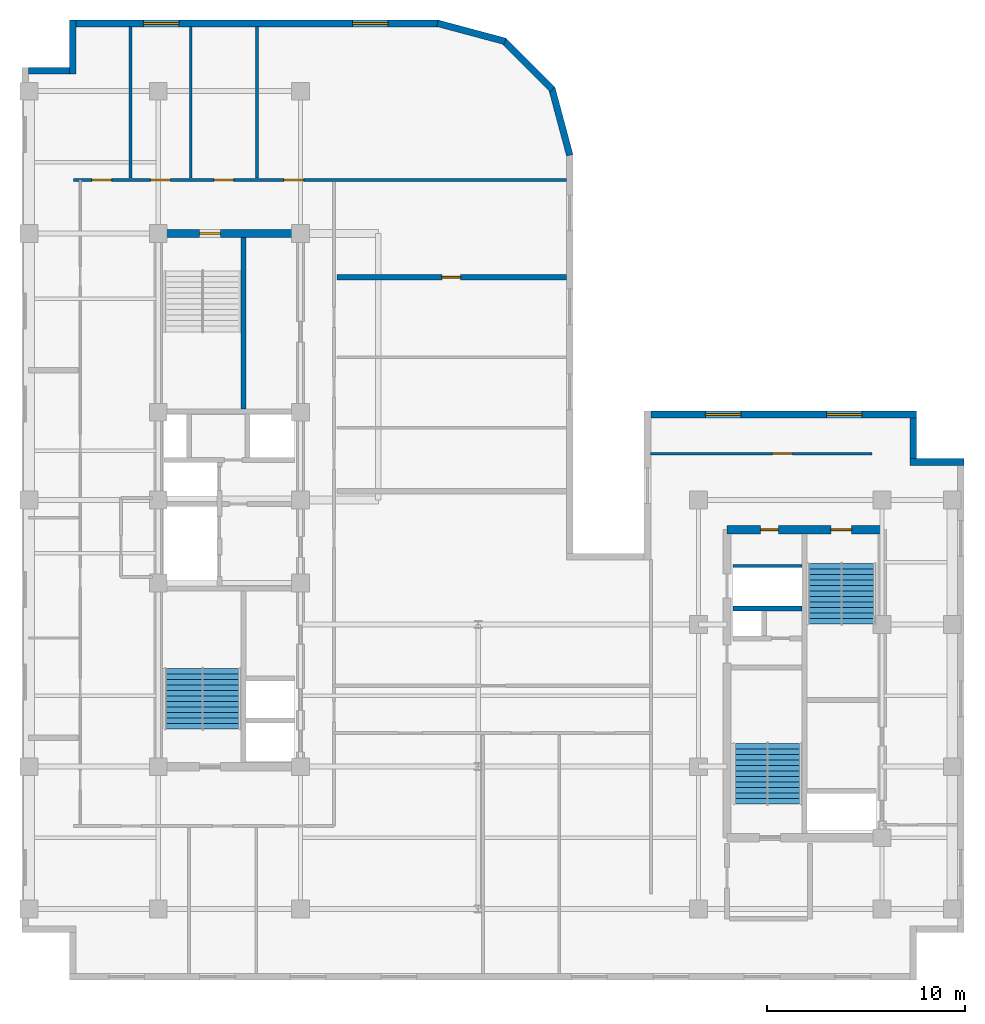
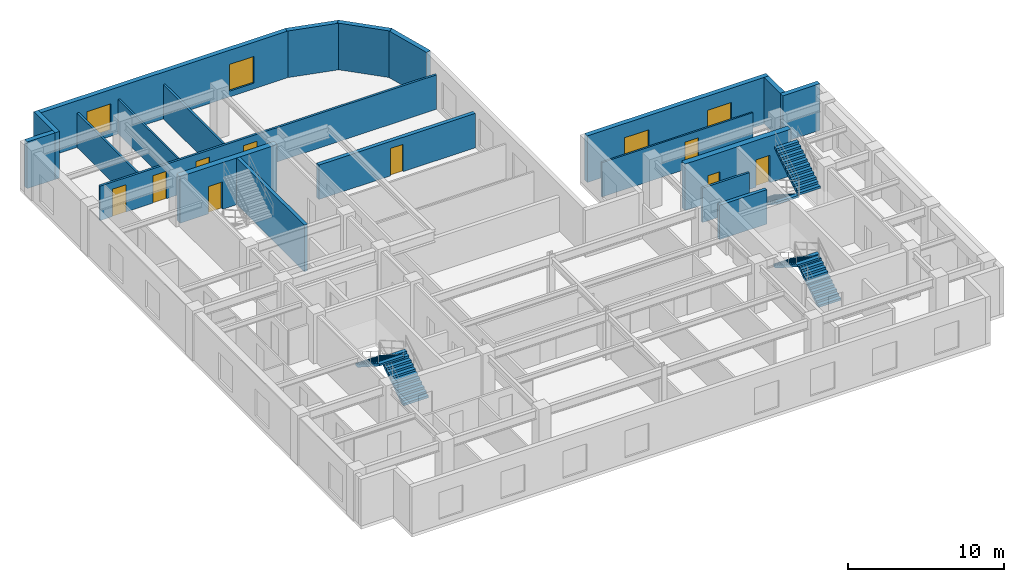
# One storey, part 6 of 10: 20 walls, 9 doors, 6 stair flights, 4 windows, 13 openings, 3 elements without a shape of their own.
"""IFC4 building model written with IfcOpenShell, lengths in metres."""

import ifcopenshell
import ifcopenshell.guid

model = None  # the IFC model being written
_history = None  # IfcOwnerHistory: only IFC2X3 demands one
_inside = {}  # id of a spatial element -> (the spatial element, [elements in it])
_under = {}  # id of a project, library or spatial element -> (it, [spatial elements below it])
_declared = {}  # id of a project -> (the project, [libraries it declares])
_typed = {}  # id of a type object -> (the type object, [elements of that type])
_made_of = {}  # id of a material, layer set ... -> (it, [elements and type objects made of it])


def new_model(schema):
    """Start an empty IFC model of exactly this schema.

    Asked for "IFC4X3", IfcOpenShell would pick the latest addendum, in which some entities
    have other attributes; the version numbers below select the first issue.
    IFC2X3 requires an IfcOwnerHistory on every rooted entity: one is made here for all.
    """
    global model, _history
    if schema == "IFC4X3":
        model = ifcopenshell.file(schema_version=(4, 3, 0, 0))
    else:
        model = ifcopenshell.file(schema=schema)
    _inside.clear()
    _under.clear()
    _declared.clear()
    _typed.clear()
    _made_of.clear()
    _history = None
    if model.schema == "IFC2X3":
        org = make("IfcOrganization", Name="unknown")
        user = make(
            "IfcPersonAndOrganization",
            ThePerson=make("IfcPerson", FamilyName="unknown"),
            TheOrganization=org,
        )
        app = make(
            "IfcApplication",
            ApplicationDeveloper=org,
            Version="unknown",
            ApplicationFullName="unknown",
            ApplicationIdentifier="unknown",
        )
        _history = make(
            "IfcOwnerHistory",
            OwningUser=user,
            OwningApplication=app,
            ChangeAction="ADDED",
            CreationDate=0,
        )
    return model


def make(cls, **values):
    """One entity of the class cls with the attributes given. An attribute that is None is left unset."""
    return model.create_entity(
        cls, **{name: value for name, value in values.items() if value is not None}
    )


def entity(cls, *values):
    """Any entity or typed value of the class cls, its attributes in the order of the schema. None: left unset."""
    e = model.create_entity(cls)
    for i, value in enumerate(values):
        if value is not None:
            e[i] = value
    return e


def rooted(cls, **values):
    """An entity with a GlobalId (a new one), such as an element, a storey or a relation."""
    return make(cls, GlobalId=ifcopenshell.guid.new(), OwnerHistory=_history, **values)


def si_unit(unit_type, name, prefix=None):
    """IfcSIUnit, for example si_unit("LENGTHUNIT", "METRE", prefix="MILLI")."""
    return make("IfcSIUnit", UnitType=unit_type, Prefix=prefix, Name=name)


def converted_unit(unit_type, name, factor, base, dimensions=None, offset=None):
    """IfcConversionBasedUnit, such as the inch: factor (a typed value) times the base unit."""
    return make(
        "IfcConversionBasedUnit"
        if offset is None
        else "IfcConversionBasedUnitWithOffset",
        ConversionOffset=offset,
        Dimensions=None
        if dimensions is None
        else entity("IfcDimensionalExponents", *dimensions),
        UnitType=unit_type,
        Name=name,
        ConversionFactor=make(
            "IfcMeasureWithUnit", ValueComponent=factor, UnitComponent=base
        ),
    )


def assignment(units):
    """IfcUnitAssignment: the units of a project."""
    return None if units is None else make("IfcUnitAssignment", Units=units)


def point(xyz):
    """IfcCartesianPoint."""
    return None if xyz is None else make("IfcCartesianPoint", Coordinates=xyz)


def direction(xyz):
    """IfcDirection."""
    return None if xyz is None else make("IfcDirection", DirectionRatios=xyz)


def frame(location, z_axis=None, x_axis=None):
    """IfcAxis2Placement3D, a coordinate frame: its origin and axes. An axis left out is left unset."""
    return make(
        "IfcAxis2Placement3D",
        Location=point(location),
        Axis=direction(z_axis),
        RefDirection=direction(x_axis),
    )


def frame_2d(location, x_axis=None):
    """IfcAxis2Placement2D, a coordinate frame in the plane: its origin and x axis."""
    return make(
        "IfcAxis2Placement2D", Location=point(location), RefDirection=direction(x_axis)
    )


def origin_with_axes():
    """The frame at (0, 0, 0) with the z axis (0, 0, 1) and the x axis (1, 0, 0) written out."""
    return frame((0.0, 0.0, 0.0), z_axis=(0.0, 0.0, 1.0), x_axis=(1.0, 0.0, 0.0))


def origin_2d_with_axis():
    """The frame at (0, 0) in the plane with the x axis (1, 0) written out."""
    return frame_2d((0.0, 0.0), x_axis=(1.0, 0.0))


def place(relative_to, where):
    """IfcLocalPlacement: puts the frame where relative to a parent placement (None: the world)."""
    return make(
        "IfcLocalPlacement", PlacementRelTo=relative_to, RelativePlacement=where
    )


def context(
    kind, dimensions, precision=None, world=None, true_north=None, identifier=None
):
    """IfcGeometricRepresentationContext, for example the 3D "Model" context."""
    return make(
        "IfcGeometricRepresentationContext",
        ContextIdentifier=identifier,
        ContextType=kind,
        CoordinateSpaceDimension=dimensions,
        Precision=precision,
        WorldCoordinateSystem=world,
        TrueNorth=true_north,
    )


def subcontext(parent, identifier, kind, view, scale=None):
    """IfcGeometricRepresentationSubContext, for example "Body" below "Model"."""
    return make(
        "IfcGeometricRepresentationSubContext",
        ContextIdentifier=identifier,
        ContextType=kind,
        ParentContext=parent,
        TargetScale=scale,
        TargetView=view,
    )


def project(units=None, contexts=None):
    """IfcProject with its units and contexts."""
    return rooted(
        "IfcProject",
        Name="project",
        RepresentationContexts=contexts,
        UnitsInContext=assignment(units),
    )


def spatial(cls, under=None, at=None, **own):
    """A site, building, storey or space (cls), placed at a placement, below another one or the project."""
    s = rooted(cls, ObjectPlacement=at, **own)
    if under is not None:
        _under.setdefault(under.id(), (under, []))[1].append(s)
    return s


def polyline(points):
    """IfcPolyline through the points."""
    return make("IfcPolyline", Points=[point(p) for p in points])


def profile(cls, at=None, kind="AREA", **sizes):
    """A parametric profile (cls). Its sizes go by their IFC names, for example OverallWidth=200.0."""
    return make(cls, ProfileType=kind, Position=at, **sizes)


def rectangle(**sizes):
    """IfcRectangleProfileDef."""
    return profile("IfcRectangleProfileDef", **sizes)


def outline(outer, holes=None, kind="AREA"):
    """IfcArbitraryClosedProfileDef: a profile drawn as a closed curve; with holes, ...WithVoids."""
    if holes is None:
        return make("IfcArbitraryClosedProfileDef", ProfileType=kind, OuterCurve=outer)
    return make(
        "IfcArbitraryProfileDefWithVoids",
        ProfileType=kind,
        OuterCurve=outer,
        InnerCurves=holes,
    )


def extrude(swept, where, along, depth):
    """IfcExtrudedAreaSolid: the profile swept, set in the frame where, extruded along a direction by depth."""
    return make(
        "IfcExtrudedAreaSolid",
        SweptArea=swept,
        Position=where,
        ExtrudedDirection=direction(along),
        Depth=depth,
    )


def shape(context_of_items, identifier, shape_type, items):
    """IfcShapeRepresentation: the items that make up one representation, for example the "Body"."""
    return make(
        "IfcShapeRepresentation",
        ContextOfItems=context_of_items,
        RepresentationIdentifier=identifier,
        RepresentationType=shape_type,
        Items=items,
    )


def material(Name=None, Category=None):
    """IfcMaterial."""
    return make("IfcMaterial", Name=Name, Category=Category)


def layer(
    of_material, thickness, ventilated=None, Name=None, Category=None, Priority=None
):
    """IfcMaterialLayer: one layer of a wall or slab, of a material (None: an air gap)."""
    return make(
        "IfcMaterialLayer",
        Material=of_material,
        LayerThickness=thickness,
        IsVentilated=ventilated,
        Name=Name,
        Category=Category,
        Priority=Priority,
    )


def layer_set(layers, Name=None):
    """IfcMaterialLayerSet."""
    return make("IfcMaterialLayerSet", MaterialLayers=layers, LayerSetName=Name)


def made_of(thing, what):
    """Note that an element or type object is made of a material, layer set ...; save() writes the relation."""
    if what is not None:
        _made_of.setdefault(what.id(), (what, []))[1].append(thing)
    return thing


def type_object(cls, material=None, **own):
    """A type object (cls), such as IfcWallType, which elements share."""
    return made_of(rooted(cls, **own), material)


def element(
    cls,
    number,
    at=None,
    inside=None,
    cuts=None,
    type_object=None,
    material=None,
    context=None,
    identifier="Body",
    shape_type=None,
    held_by="IfcProductDefinitionShape",
    body=None,
    shapes=None,
    **own,
):
    """One element of the class cls, such as IfcWall. Its Tag is "e" and its number.

    at: its placement. inside: the storey or other place that contains it. cuts: it is an
    opening in that element (IfcRelVoidsElement). A single representation is given by context,
    identifier, shape_type and body (its items); several are given by shapes. held_by: the class
    of the entity that holds the representations. save() writes the other relations.
    """
    e = rooted(cls, Tag="e%d" % number, ObjectPlacement=at, **own)
    if body is not None:
        shapes = [shape(context, identifier, shape_type, body)]
    if shapes is not None:
        e.Representation = make(held_by, Representations=shapes)
    if inside is not None:
        _inside.setdefault(inside.id(), (inside, []))[1].append(e)
    if cuts is not None:
        rooted(
            "IfcRelVoidsElement", RelatingBuildingElement=cuts, RelatedOpeningElement=e
        )
    if type_object is not None:
        _typed.setdefault(type_object.id(), (type_object, []))[1].append(e)
    return made_of(e, material)


def fill(opening, filler):
    """IfcRelFillsElement: the door or window that sits in an opening."""
    return rooted(
        "IfcRelFillsElement",
        RelatingOpeningElement=opening,
        RelatedBuildingElement=filler,
    )


def aggregate(whole, parts):
    """IfcRelAggregates: a whole, such as a stair, and the parts it consists of."""
    return rooted("IfcRelAggregates", RelatingObject=whole, RelatedObjects=parts)


def save(model, path):
    """Write the relations noted so far, then the file.

    IfcRelAggregates (storeys below a building ...), IfcRelContainedInSpatialStructure (elements
    in a storey), IfcRelDefinesByType, IfcRelAssociatesMaterial and IfcRelDeclares: one each for
    every whole, place, type object, material and project.
    """
    for whole, parts in _under.values():
        aggregate(whole, parts)
    for where, things in _inside.values():
        rooted(
            "IfcRelContainedInSpatialStructure",
            RelatedElements=things,
            RelatingStructure=where,
        )
    for kind, things in _typed.values():
        rooted("IfcRelDefinesByType", RelatedObjects=things, RelatingType=kind)
    for what, things in _made_of.values():
        rooted("IfcRelAssociatesMaterial", RelatedObjects=things, RelatingMaterial=what)
    for by, libraries in _declared.values():
        rooted("IfcRelDeclares", RelatingContext=by, RelatedDefinitions=libraries)
    model.write(path)


model = new_model("IFC4")

# Units and contexts
model_context = context("Model", 3, precision=1e-05, world=origin_with_axes(), true_north=direction((0.0, 1.0)))
body_context = subcontext(model_context, "Body", "Model", "MODEL_VIEW")
ifc_project = project(units=[si_unit("LENGTHUNIT", "METRE"), si_unit("AREAUNIT", "SQUARE_METRE"), si_unit("VOLUMEUNIT", "CUBIC_METRE"), converted_unit("PLANEANGLEUNIT", "DEGREE", entity("IfcPlaneAngleMeasure", 0.017453292519943295), si_unit("PLANEANGLEUNIT", "RADIAN"), dimensions=[0, 0, 0, 0, 0, 0, 0]), si_unit("MASSUNIT", "GRAM", prefix="KILO"), si_unit("THERMODYNAMICTEMPERATUREUNIT", "KELVIN")], contexts=[model_context])

# Site, building, storey
site_placement = place(None, origin_with_axes())
site = spatial("IfcSite", under=ifc_project, at=site_placement, CompositionType="ELEMENT")
building_placement = place(site_placement, origin_with_axes())
building = spatial("IfcBuilding", under=site, at=building_placement, Name="Varnlund Millrace Tower", CompositionType="ELEMENT")
storey_placement = place(building_placement, frame((0.0, 0.0, 228.6), z_axis=(0.0, 0.0, 1.0), x_axis=(1.0, 0.0, 0.0)))
storey = spatial("IfcBuildingStorey", under=building, at=storey_placement, Name="L56", CompositionType="ELEMENT", Elevation=228.6)

# Wall, opening, door
ifc_material_1 = material(Name="Concrete C60/75", Category="concrete")
ifc_layer_1 = layer(ifc_material_1, 0.42, Name="Concrete C60/75")
ifc_layer_set_1 = layer_set([ifc_layer_1], Name="Concrete C60/75")
wall_type_1 = type_object("IfcWallType", Name="Type-CoreWall-Shear-420-C60", PredefinedType="SHEAR", material=ifc_layer_set_1)
wall_1_placement = place(storey_placement, frame((11.4, 37.8, 0.0), z_axis=(0.0, 0.0, 1.0), x_axis=(1.0, 0.0, 0.0)))
wall_1 = element("IfcWall", 1, at=wall_1_placement, inside=storey, type_object=wall_type_1, Name="Type-CoreWall-Shear-420-C60", PredefinedType="SHEAR", context=body_context, shape_type="SweptSolid", body=[
    extrude(outline(polyline([(0.0, -0.21), (7.2, -0.21), (7.2, 0.21), (0.0, 0.21), (0.0, -0.21)])), origin_with_axes(), (0.0, 0.0, 1.0), 3.66),
])
opening_1_placement = place(wall_1_placement, frame((2.625, 0.0, 0.0), z_axis=(0.0, 0.0, 1.0), x_axis=(1.0, 0.0, 0.0)))
opening_1 = element("IfcOpeningElement", 2, at=opening_1_placement, cuts=wall_1, Name="Opening L56:DR-STA2", PredefinedType="OPENING", context=body_context, shape_type="SweptSolid", body=[
    extrude(rectangle(XDim=1.05, YDim=0.44, at=origin_2d_with_axis()), origin_with_axes(), (0.0, 0.0, 1.0), 2.15),
])
ifc_material_2 = material(Name="Fire-rated hollow steel door", Category="steel")
door_type_1 = type_object("IfcDoorType", Name="Type-FireDoor-Stair-1050X2150", OperationType="NOTDEFINED", PredefinedType="DOOR", material=ifc_material_2)
door_1_placement = place(wall_1_placement, frame((2.625, 0.0, 0.0), z_axis=(0.0, 0.0, 1.0), x_axis=(1.0, 0.0, 0.0)))
door_1 = element("IfcDoor", 3, at=door_1_placement, inside=storey, type_object=door_type_1, Name="Type-FireDoor-Stair-1050X2150", OperationType="SINGLE_SWING_RIGHT", OverallHeight=2.15, OverallWidth=1.05, PredefinedType="DOOR", context=body_context, shape_type="SweptSolid", body=[
    extrude(rectangle(XDim=1.05, YDim=0.09, at=origin_2d_with_axis()), origin_with_axes(), (0.0, 0.0, 1.0), 2.15),
])
fill(opening_1, door_1)

# Wall, openings, doors
wall_2_placement = place(storey_placement, frame((40.2, 22.8, 0.0), z_axis=(0.0, 0.0, 1.0), x_axis=(1.0, 0.0, 0.0)))
wall_2 = element("IfcWall", 4, at=wall_2_placement, inside=storey, type_object=wall_type_1, Name="Type-CoreWall-Shear-420-C60", PredefinedType="SHEAR", context=body_context, shape_type="SweptSolid", body=[
    extrude(outline(polyline([(0.0, -0.21), (7.85, -0.21), (7.85, 0.21), (0.0, 0.21), (0.0, -0.21)])), origin_with_axes(), (0.0, 0.0, 1.0), 3.66),
])
opening_2_placement = place(wall_2_placement, frame((5.775, 0.0, 0.0), z_axis=(0.0, 0.0, 1.0), x_axis=(1.0, 0.0, 0.0)))
opening_2 = element("IfcOpeningElement", 5, at=opening_2_placement, cuts=wall_2, Name="Opening L56:DR-STB2", PredefinedType="OPENING", context=body_context, shape_type="SweptSolid", body=[
    extrude(rectangle(XDim=1.05, YDim=0.44, at=origin_2d_with_axis()), origin_with_axes(), (0.0, 0.0, 1.0), 2.15),
])
opening_3_placement = place(wall_2_placement, frame((2.15, 0.0, 0.0), z_axis=(0.0, 0.0, 1.0), x_axis=(1.0, 0.0, 0.0)))
opening_3 = element("IfcOpeningElement", 6, at=opening_3_placement, cuts=wall_2, Name="Opening L56:DR-CB-NW", PredefinedType="OPENING", context=body_context, shape_type="SweptSolid", body=[
    extrude(rectangle(XDim=0.9, YDim=0.44, at=origin_2d_with_axis()), origin_with_axes(), (0.0, 0.0, 1.0), 2.15),
])
ifc_material_3 = material(Name="Fire-rated hollow steel service closet door", Category="steel")
door_type_2 = type_object("IfcDoorType", Name="Type-FireDoor-Closet-900X2150", OperationType="NOTDEFINED", PredefinedType="DOOR", material=ifc_material_3)
door_2_placement = place(wall_2_placement, frame((2.15, 0.0, 0.0), z_axis=(0.0, 0.0, 1.0), x_axis=(1.0, 0.0, 0.0)))
door_2 = element("IfcDoor", 7, at=door_2_placement, inside=storey, type_object=door_type_2, Name="Type-FireDoor-Closet-900X2150", OperationType="SINGLE_SWING_LEFT", OverallHeight=2.15, OverallWidth=0.9, PredefinedType="DOOR", context=body_context, shape_type="SweptSolid", body=[
    extrude(rectangle(XDim=0.9, YDim=0.09, at=origin_2d_with_axis()), origin_with_axes(), (0.0, 0.0, 1.0), 2.15),
])
fill(opening_3, door_2)
door_3_placement = place(wall_2_placement, frame((5.775, 0.0, 0.0), z_axis=(0.0, 0.0, 1.0), x_axis=(1.0, 0.0, 0.0)))
door_3 = element("IfcDoor", 8, at=door_3_placement, inside=storey, type_object=door_type_1, Name="Type-FireDoor-Stair-1050X2150", OperationType="SINGLE_SWING_RIGHT", OverallHeight=2.15, OverallWidth=1.05, PredefinedType="DOOR", context=body_context, shape_type="SweptSolid", body=[
    extrude(rectangle(XDim=1.05, YDim=0.09, at=origin_2d_with_axis()), origin_with_axes(), (0.0, 0.0, 1.0), 2.15),
])
fill(opening_2, door_3)

# Wall, openings, windows
ifc_material_4 = material(Name="Precast concrete C50/60", Category="concrete")
ifc_layer_2 = layer(ifc_material_4, 0.34, Name="Precast concrete C50/60")
ifc_layer_set_2 = layer_set([ifc_layer_2], Name="Precast concrete C50/60")
wall_type_2 = type_object("IfcWallType", Name="Type-ExtWall-Precast-Upper-340", PredefinedType="SOLIDWALL", material=ifc_layer_set_2)
wall_3_placement = place(storey_placement, frame((36.34, 28.63, 0.0), z_axis=(0.0, 0.0, 1.0), x_axis=(1.0, 0.0, 0.0)))
wall_3 = element("IfcWall", 9, at=wall_3_placement, inside=storey, type_object=wall_type_2, Name="Type-ExtWall-Precast-Upper-340", PredefinedType="SOLIDWALL", context=body_context, shape_type="SweptSolid", body=[
    extrude(outline(polyline([(0.0, -0.17), (13.46, -0.17), (13.46, 0.17), (0.0, 0.17), (0.0, -0.17)])), origin_with_axes(), (0.0, 0.0, 1.0), 3.66),
])
opening_4_placement = place(wall_3_placement, frame((3.665, 0.0, 0.45), z_axis=(0.0, 0.0, 1.0), x_axis=(1.0, 0.0, 0.0)))
opening_4 = element("IfcOpeningElement", 10, at=opening_4_placement, cuts=wall_3, Name="Opening L56:WN-02", PredefinedType="OPENING", context=body_context, shape_type="SweptSolid", body=[
    extrude(rectangle(XDim=1.8, YDim=0.36, at=origin_2d_with_axis()), origin_with_axes(), (0.0, 0.0, 1.0), 2.1),
])
opening_5_placement = place(wall_3_placement, frame((9.795, 0.0, 0.45), z_axis=(0.0, 0.0, 1.0), x_axis=(1.0, 0.0, 0.0)))
opening_5 = element("IfcOpeningElement", 11, at=opening_5_placement, cuts=wall_3, Name="Opening L56:WN-03", PredefinedType="OPENING", context=body_context, shape_type="SweptSolid", body=[
    extrude(rectangle(XDim=1.8, YDim=0.36, at=origin_2d_with_axis()), origin_with_axes(), (0.0, 0.0, 1.0), 2.1),
])
ifc_material_5 = material(Name="Argon low-e triple glazing in thermally broken bronze frame", Category="glass")
window_type = type_object("IfcWindowType", Name="Type-Window-Punched-1800X2100", PartitioningType="SINGLE_PANEL", PredefinedType="WINDOW", material=ifc_material_5)
window_1_placement = place(wall_3_placement, frame((3.665, 0.0, 0.45), z_axis=(0.0, 0.0, 1.0), x_axis=(1.0, 0.0, 0.0)))
window_1 = element("IfcWindow", 12, at=window_1_placement, inside=storey, type_object=window_type, Name="Type-Window-Punched-1800X2100", OverallHeight=2.1, OverallWidth=1.8, PredefinedType="WINDOW", context=body_context, shape_type="SweptSolid", body=[
    extrude(rectangle(XDim=1.8, YDim=0.09, at=origin_2d_with_axis()), origin_with_axes(), (0.0, 0.0, 1.0), 2.1),
])
fill(opening_4, window_1)
window_2_placement = place(wall_3_placement, frame((9.795, 0.0, 0.45), z_axis=(0.0, 0.0, 1.0), x_axis=(1.0, 0.0, 0.0)))
window_2 = element("IfcWindow", 13, at=window_2_placement, inside=storey, type_object=window_type, Name="Type-Window-Punched-1800X2100", OverallHeight=2.1, OverallWidth=1.8, PredefinedType="WINDOW", context=body_context, shape_type="SweptSolid", body=[
    extrude(rectangle(XDim=1.8, YDim=0.09, at=origin_2d_with_axis()), origin_with_axes(), (0.0, 0.0, 1.0), 2.1),
])
fill(opening_5, window_2)

# Walls
wall_4_placement = place(storey_placement, frame((49.63, 28.46, 0.0), z_axis=(0.0, 0.0, 1.0), x_axis=(0.0, -1.0, 0.0)))
element("IfcWall", 14, at=wall_4_placement, inside=storey, type_object=wall_type_2, Name="Type-ExtWall-Precast-Upper-340", PredefinedType="SOLIDWALL", context=body_context, shape_type="SweptSolid", body=[
    extrude(outline(polyline([(0.0, -0.17), (2.06, -0.17), (2.06, 0.17), (0.0, 0.17), (0.0, -0.17)])), origin_with_axes(), (0.0, 0.0, 1.0), 3.66),
])
wall_5_placement = place(storey_placement, frame((49.46, 26.23, 0.0), z_axis=(0.0, 0.0, 1.0), x_axis=(1.0, 0.0, 0.0)))
element("IfcWall", 15, at=wall_5_placement, inside=storey, type_object=wall_type_2, Name="Type-ExtWall-Precast-Upper-340", PredefinedType="SOLIDWALL", context=body_context, shape_type="SweptSolid", body=[
    extrude(outline(polyline([(0.0, -0.17), (2.74, -0.17), (2.74, 0.17), (0.0, 0.17), (0.0, -0.17)])), origin_with_axes(), (0.0, 0.0, 1.0), 3.66),
])
wall_6_placement = place(storey_placement, frame((4.84, 46.03, 0.0), z_axis=(0.0, 0.0, 1.0), x_axis=(1.0, 0.0, 0.0)))
element("IfcWall", 16, at=wall_6_placement, inside=storey, type_object=wall_type_2, Name="Type-ExtWall-Precast-Upper-340", PredefinedType="SOLIDWALL", context=body_context, shape_type="SweptSolid", body=[
    extrude(outline(polyline([(0.0, -0.17), (2.06, -0.17), (2.06, 0.17), (0.0, 0.17), (0.0, -0.17)])), origin_with_axes(), (0.0, 0.0, 1.0), 3.66),
])
wall_7_placement = place(storey_placement, frame((7.07, 45.86, 0.0), z_axis=(0.0, 0.0, 1.0), x_axis=(0.0, 1.0, 0.0)))
element("IfcWall", 17, at=wall_7_placement, inside=storey, type_object=wall_type_2, Name="Type-ExtWall-Precast-Upper-340", PredefinedType="SOLIDWALL", context=body_context, shape_type="SweptSolid", body=[
    extrude(outline(polyline([(0.0, -0.17), (2.74, -0.17), (2.74, 0.17), (0.0, 0.17), (0.0, -0.17)])), origin_with_axes(), (0.0, 0.0, 1.0), 3.66),
])

# Wall, openings, windows
wall_8_placement = place(storey_placement, frame((7.24, 48.43, 0.0), z_axis=(0.0, 0.0, 1.0), x_axis=(1.0, 0.0, 0.0)))
wall_8 = element("IfcWall", 18, at=wall_8_placement, inside=storey, type_object=wall_type_2, Name="Type-ExtWall-Precast-Upper-340", PredefinedType="SOLIDWALL", context=body_context, shape_type="SweptSolid", body=[
    extrude(outline(polyline([(0.0, -0.17), (18.36, -0.17), (18.36, 0.17), (0.0, 0.17), (0.0, -0.17)])), origin_with_axes(), (0.0, 0.0, 1.0), 3.66),
])
opening_6_placement = place(wall_8_placement, frame((4.31, 0.0, 0.45), z_axis=(0.0, 0.0, 1.0), x_axis=(1.0, 0.0, 0.0)))
opening_6 = element("IfcOpeningElement", 19, at=opening_6_placement, cuts=wall_8, Name="Opening L56:WN-21", PredefinedType="OPENING", context=body_context, shape_type="SweptSolid", body=[
    extrude(rectangle(XDim=1.8, YDim=0.36, at=origin_2d_with_axis()), origin_with_axes(), (0.0, 0.0, 1.0), 2.1),
])
opening_7_placement = place(wall_8_placement, frame((14.9, 0.0, 0.45), z_axis=(0.0, 0.0, 1.0), x_axis=(1.0, 0.0, 0.0)))
opening_7 = element("IfcOpeningElement", 20, at=opening_7_placement, cuts=wall_8, Name="Opening L56:WN-22", PredefinedType="OPENING", context=body_context, shape_type="SweptSolid", body=[
    extrude(rectangle(XDim=1.8, YDim=0.36, at=origin_2d_with_axis()), origin_with_axes(), (0.0, 0.0, 1.0), 2.1),
])
window_3_placement = place(wall_8_placement, frame((4.31, 0.0, 0.45), z_axis=(0.0, 0.0, 1.0), x_axis=(1.0, 0.0, 0.0)))
window_3 = element("IfcWindow", 21, at=window_3_placement, inside=storey, type_object=window_type, Name="Type-Window-Punched-1800X2100", OverallHeight=2.1, OverallWidth=1.8, PredefinedType="WINDOW", context=body_context, shape_type="SweptSolid", body=[
    extrude(rectangle(XDim=1.8, YDim=0.09, at=origin_2d_with_axis()), origin_with_axes(), (0.0, 0.0, 1.0), 2.1),
])
fill(opening_6, window_3)
window_4_placement = place(wall_8_placement, frame((14.9, 0.0, 0.45), z_axis=(0.0, 0.0, 1.0), x_axis=(1.0, 0.0, 0.0)))
window_4 = element("IfcWindow", 22, at=window_4_placement, inside=storey, type_object=window_type, Name="Type-Window-Punched-1800X2100", OverallHeight=2.1, OverallWidth=1.8, PredefinedType="WINDOW", context=body_context, shape_type="SweptSolid", body=[
    extrude(rectangle(XDim=1.8, YDim=0.09, at=origin_2d_with_axis()), origin_with_axes(), (0.0, 0.0, 1.0), 2.1),
])
fill(opening_7, window_4)

# Walls
wall_9_placement = place(storey_placement, frame((25.537, 48.441, 0.0), z_axis=(0.0, 0.0, 1.0), x_axis=(0.965934, -0.258788, 0.0)))
element("IfcWall", 23, at=wall_9_placement, inside=storey, type_object=wall_type_2, Name="Type-ExtWall-Precast-Upper-340", PredefinedType="SOLIDWALL", context=body_context, shape_type="SweptSolid", body=[
    extrude(outline(polyline([(0.0, -0.17), (3.539579, -0.17), (3.539579, 0.17), (0.0, 0.17), (0.0, -0.17)])), origin_with_axes(), (0.0, 0.0, 1.0), 3.66),
])
wall_10_placement = place(storey_placement, frame((28.866, 47.583, 0.0), z_axis=(0.0, 0.0, 1.0), x_axis=(0.707107, -0.707107, 0.0)))
element("IfcWall", 24, at=wall_10_placement, inside=storey, type_object=wall_type_2, Name="Type-ExtWall-Precast-Upper-340", PredefinedType="SOLIDWALL", context=body_context, shape_type="SweptSolid", body=[
    extrude(outline(polyline([(0.0, -0.17), (3.539777, -0.17), (3.539777, 0.17), (0.0, 0.17), (0.0, -0.17)])), origin_with_axes(), (0.0, 0.0, 1.0), 3.66),
])
wall_11_placement = place(storey_placement, frame((31.32, 45.175, 0.0), z_axis=(0.0, 0.0, 1.0), x_axis=(0.258788, -0.965934, 0.0)))
element("IfcWall", 25, at=wall_11_placement, inside=storey, type_object=wall_type_2, Name="Type-ExtWall-Precast-Upper-340", PredefinedType="SOLIDWALL", context=body_context, shape_type="SweptSolid", body=[
    extrude(outline(polyline([(0.0, -0.17), (3.539579, -0.17), (3.539579, 0.17), (0.0, 0.17), (0.0, -0.17)])), origin_with_axes(), (0.0, 0.0, 1.0), 3.66),
])

# Wall, opening, door
ifc_material_6 = material(Name="Double-stud STC-60 conference acoustic partition", Category="gypsum")
ifc_layer_3 = layer(ifc_material_6, 0.28, Name="Double-stud STC-60 conference acoustic partition")
ifc_layer_set_3 = layer_set([ifc_layer_3], Name="Double-stud STC-60 conference acoustic partition")
wall_type_3 = type_object("IfcWallType", Name="Type-Partition-Acoustic-280", PredefinedType="PARTITIONING", material=ifc_layer_set_3)
wall_12_placement = place(storey_placement, frame((20.45, 35.576, 0.0), z_axis=(0.0, 0.0, 1.0), x_axis=(1.0, 0.0, 0.0)))
wall_12 = element("IfcWall", 26, at=wall_12_placement, inside=storey, type_object=wall_type_3, Name="Type-Partition-Acoustic-280", PredefinedType="PARTITIONING", context=body_context, shape_type="SweptSolid", body=[
    extrude(outline(polyline([(0.0, -0.14), (11.615, -0.14), (11.615, 0.14), (0.0, 0.14), (0.0, -0.14)])), origin_with_axes(), (0.0, 0.0, 1.0), 2.7),
])
opening_8_placement = place(wall_12_placement, frame((5.785, 0.0, 0.0), z_axis=(0.0, 0.0, 1.0), x_axis=(1.0, 0.0, 0.0)))
opening_8 = element("IfcOpeningElement", 27, at=opening_8_placement, cuts=wall_12, Name="Opening L56:DR-FLR-05", PredefinedType="OPENING", context=body_context, shape_type="SweptSolid", body=[
    extrude(rectangle(XDim=0.95, YDim=0.3, at=origin_2d_with_axis()), origin_with_axes(), (0.0, 0.0, 1.0), 2.15),
])
ifc_material_7 = material(Name="Solid-core acoustic office door")
door_type_3 = type_object("IfcDoorType", Name="Type-IntDoor-Tenant-950X2150", OperationType="NOTDEFINED", PredefinedType="DOOR", material=ifc_material_7)
door_4_placement = place(wall_12_placement, frame((5.785, 0.0, 0.0), z_axis=(0.0, 0.0, 1.0), x_axis=(1.0, 0.0, 0.0)))
door_4 = element("IfcDoor", 28, at=door_4_placement, inside=storey, type_object=door_type_3, Name="Type-IntDoor-Tenant-950X2150", OperationType="SINGLE_SWING_LEFT", OverallHeight=2.15, OverallWidth=0.95, PredefinedType="DOOR", context=body_context, shape_type="SweptSolid", body=[
    extrude(rectangle(XDim=0.95, YDim=0.09, at=origin_2d_with_axis()), origin_with_axes(), (0.0, 0.0, 1.0), 2.15),
])
fill(opening_8, door_4)

# Wall
ifc_material_8 = material(Name="Fire-rated gypsum board on cold-formed steel framing", Category="steel")
ifc_layer_4 = layer(ifc_material_8, 0.16, Name="Fire-rated gypsum board on cold-formed steel framing")
ifc_layer_set_4 = layer_set([ifc_layer_4], Name="Fire-rated gypsum board on cold-formed steel framing")
wall_type_4 = type_object("IfcWallType", Name="Type-Partition-Corridor-160", PredefinedType="PARTITIONING", material=ifc_layer_set_4)
wall_13_placement = place(storey_placement, frame((40.5, 20.96, 0.0), z_axis=(0.0, 0.0, 1.0), x_axis=(1.0, 0.0, 0.0)))
element("IfcWall", 29, at=wall_13_placement, inside=storey, type_object=wall_type_4, Name="Type-Partition-Corridor-160", PredefinedType="PARTITIONING", context=body_context, shape_type="SweptSolid", body=[
    extrude(outline(polyline([(0.0, -0.08), (3.5, -0.08), (3.5, 0.08), (0.0, 0.08), (0.0, -0.08)])), origin_with_axes(), (0.0, 0.0, 1.0), 2.7),
])

# Wall, openings, doors
wall_14_placement = place(storey_placement, frame((7.1, 40.5, 0.0), z_axis=(0.0, 0.0, 1.0), x_axis=(1.0, 0.0, 0.0)))
wall_14 = element("IfcWall", 30, at=wall_14_placement, inside=storey, type_object=wall_type_4, Name="Type-Partition-Corridor-160", PredefinedType="PARTITIONING", context=body_context, shape_type="SweptSolid", body=[
    extrude(outline(polyline([(0.0, -0.08), (24.965, -0.08), (24.965, 0.08), (0.0, 0.08), (0.0, -0.08)])), origin_with_axes(), (0.0, 0.0, 1.0), 2.7),
])
opening_9_placement = place(wall_14_placement, frame((1.441, 0.0, 0.0), z_axis=(0.0, 0.0, 1.0), x_axis=(1.0, 0.0, 0.0)))
opening_9 = element("IfcOpeningElement", 31, at=opening_9_placement, cuts=wall_14, Name="Opening L56:DR-WAN-01", PredefinedType="OPENING", context=body_context, shape_type="SweptSolid", body=[
    extrude(rectangle(XDim=1.0, YDim=0.18, at=origin_2d_with_axis()), origin_with_axes(), (0.0, 0.0, 1.0), 2.15),
])
opening_10_placement = place(wall_14_placement, frame((4.4145, 0.0, 0.0), z_axis=(0.0, 0.0, 1.0), x_axis=(1.0, 0.0, 0.0)))
opening_10 = element("IfcOpeningElement", 32, at=opening_10_placement, cuts=wall_14, Name="Opening L56:DR-WAN-02", PredefinedType="OPENING", context=body_context, shape_type="SweptSolid", body=[
    extrude(rectangle(XDim=1.0, YDim=0.18, at=origin_2d_with_axis()), origin_with_axes(), (0.0, 0.0, 1.0), 2.15),
])
opening_11_placement = place(wall_14_placement, frame((7.6145, 0.0, 0.0), z_axis=(0.0, 0.0, 1.0), x_axis=(1.0, 0.0, 0.0)))
opening_11 = element("IfcOpeningElement", 33, at=opening_11_placement, cuts=wall_14, Name="Opening L56:DR-WAN-03", PredefinedType="OPENING", context=body_context, shape_type="SweptSolid", body=[
    extrude(rectangle(XDim=1.0, YDim=0.18, at=origin_2d_with_axis()), origin_with_axes(), (0.0, 0.0, 1.0), 2.15),
])
opening_12_placement = place(wall_14_placement, frame((11.156, 0.0, 0.0), z_axis=(0.0, 0.0, 1.0), x_axis=(1.0, 0.0, 0.0)))
opening_12 = element("IfcOpeningElement", 34, at=opening_12_placement, cuts=wall_14, Name="Opening L56:DR-WAN-04", PredefinedType="OPENING", context=body_context, shape_type="SweptSolid", body=[
    extrude(rectangle(XDim=1.0, YDim=0.18, at=origin_2d_with_axis()), origin_with_axes(), (0.0, 0.0, 1.0), 2.15),
])
ifc_material_9 = material(Name="Solid-core white oak and bronze frame door")
door_type_4 = type_object("IfcDoorType", Name="Type-IntDoor-Office-1000X2150", OperationType="NOTDEFINED", PredefinedType="DOOR", material=ifc_material_9)
door_5_placement = place(wall_14_placement, frame((1.441, 0.0, 0.0), z_axis=(0.0, 0.0, 1.0), x_axis=(1.0, 0.0, 0.0)))
door_5 = element("IfcDoor", 35, at=door_5_placement, inside=storey, type_object=door_type_4, Name="Type-IntDoor-Office-1000X2150", OperationType="SINGLE_SWING_LEFT", OverallHeight=2.15, OverallWidth=1.0, PredefinedType="DOOR", context=body_context, shape_type="SweptSolid", body=[
    extrude(rectangle(XDim=1.0, YDim=0.09, at=origin_2d_with_axis()), origin_with_axes(), (0.0, 0.0, 1.0), 2.15),
])
fill(opening_9, door_5)
door_6_placement = place(wall_14_placement, frame((4.4145, 0.0, 0.0), z_axis=(0.0, 0.0, 1.0), x_axis=(1.0, 0.0, 0.0)))
door_6 = element("IfcDoor", 36, at=door_6_placement, inside=storey, type_object=door_type_4, Name="Type-IntDoor-Office-1000X2150", OperationType="SINGLE_SWING_RIGHT", OverallHeight=2.15, OverallWidth=1.0, PredefinedType="DOOR", context=body_context, shape_type="SweptSolid", body=[
    extrude(rectangle(XDim=1.0, YDim=0.09, at=origin_2d_with_axis()), origin_with_axes(), (0.0, 0.0, 1.0), 2.15),
])
fill(opening_10, door_6)
door_7_placement = place(wall_14_placement, frame((7.6145, 0.0, 0.0), z_axis=(0.0, 0.0, 1.0), x_axis=(1.0, 0.0, 0.0)))
door_7 = element("IfcDoor", 37, at=door_7_placement, inside=storey, type_object=door_type_4, Name="Type-IntDoor-Office-1000X2150", OperationType="SINGLE_SWING_LEFT", OverallHeight=2.15, OverallWidth=1.0, PredefinedType="DOOR", context=body_context, shape_type="SweptSolid", body=[
    extrude(rectangle(XDim=1.0, YDim=0.09, at=origin_2d_with_axis()), origin_with_axes(), (0.0, 0.0, 1.0), 2.15),
])
fill(opening_11, door_7)
door_8_placement = place(wall_14_placement, frame((11.156, 0.0, 0.0), z_axis=(0.0, 0.0, 1.0), x_axis=(1.0, 0.0, 0.0)))
door_8 = element("IfcDoor", 38, at=door_8_placement, inside=storey, type_object=door_type_4, Name="Type-IntDoor-Office-1000X2150", OperationType="SINGLE_SWING_RIGHT", OverallHeight=2.15, OverallWidth=1.0, PredefinedType="DOOR", context=body_context, shape_type="SweptSolid", body=[
    extrude(rectangle(XDim=1.0, YDim=0.09, at=origin_2d_with_axis()), origin_with_axes(), (0.0, 0.0, 1.0), 2.15),
])
fill(opening_12, door_8)

# Walls
ifc_material_10 = material(Name="Acoustic STC-50 gypsum board partition", Category="gypsum")
ifc_layer_5 = layer(ifc_material_10, 0.15, Name="Acoustic STC-50 gypsum board partition")
ifc_layer_set_5 = layer_set([ifc_layer_5], Name="Acoustic STC-50 gypsum board partition")
wall_type_5 = type_object("IfcWallType", Name="Type-Partition-Demising-150", PredefinedType="PARTITIONING", material=ifc_layer_set_5)
for number, where, z_axis, x_axis, name in (
    (39, (9.992, 40.6, 0.0), (0.0, 0.0, 1.0), (0.0, 1.0, 0.0), "Type-Partition-Demising-150"),
    (40, (16.392, 40.6, 0.0), (0.0, 0.0, 1.0), (0.0, 1.0, 0.0), "Type-Partition-Demising-150"),
):
    element("IfcWall", number, at=place(storey_placement, frame(where, z_axis=z_axis, x_axis=x_axis)), inside=storey, type_object=wall_type_5, Name=name, PredefinedType="PARTITIONING", context=body_context, shape_type="SweptSolid", body=[
        extrude(outline(polyline([(0.0, -0.075), (7.665, -0.075), (7.665, 0.075), (0.0, 0.075), (0.0, -0.075)])), origin_with_axes(), (0.0, 0.0, 1.0), 2.7),
    ])
ifc_material_11 = material(Name="Gypsum board tenant partition", Category="gypsum")
ifc_layer_6 = layer(ifc_material_11, 0.125, Name="Gypsum board tenant partition")
ifc_layer_set_6 = layer_set([ifc_layer_6], Name="Gypsum board tenant partition")
wall_type_6 = type_object("IfcWallType", Name="Type-Partition-Tenant-125", PredefinedType="PARTITIONING", material=ifc_layer_set_6)
wall_15_placement = place(storey_placement, frame((13.037, 40.6, 0.0), z_axis=(0.0, 0.0, 1.0), x_axis=(0.0, 1.0, 0.0)))
element("IfcWall", 41, at=wall_15_placement, inside=storey, type_object=wall_type_6, Name="Type-Partition-Tenant-125", PredefinedType="PARTITIONING", context=body_context, shape_type="SweptSolid", body=[
    extrude(outline(polyline([(0.0, -0.0625), (7.665, -0.0625), (7.665, 0.0625), (0.0, 0.0625), (0.0, -0.0625)])), origin_with_axes(), (0.0, 0.0, 1.0), 2.7),
])

# Wall, opening, door
wall_16_placement = place(storey_placement, frame((36.335, 26.65, 0.0), z_axis=(0.0, 0.0, 1.0), x_axis=(1.0, 0.0, 0.0)))
wall_16 = element("IfcWall", 42, at=wall_16_placement, inside=storey, type_object=wall_type_6, Name="Type-Partition-Tenant-125", PredefinedType="PARTITIONING", context=body_context, shape_type="SweptSolid", body=[
    extrude(outline(polyline([(0.0, -0.0625), (11.195, -0.0625), (11.195, 0.0625), (0.0, 0.0625), (0.0, -0.0625)])), origin_with_axes(), (0.0, 0.0, 1.0), 2.7),
])
opening_13_placement = place(wall_16_placement, frame((6.665, 0.0, 0.0), z_axis=(0.0, 0.0, 1.0), x_axis=(1.0, 0.0, 0.0)))
opening_13 = element("IfcOpeningElement", 43, at=opening_13_placement, cuts=wall_16, Name="Opening L56:DR-WBN-01", PredefinedType="OPENING", context=body_context, shape_type="SweptSolid", body=[
    extrude(rectangle(XDim=1.0, YDim=0.145, at=origin_2d_with_axis()), origin_with_axes(), (0.0, 0.0, 1.0), 2.15),
])
door_9_placement = place(wall_16_placement, frame((6.665, 0.0, 0.0), z_axis=(0.0, 0.0, 1.0), x_axis=(1.0, 0.0, 0.0)))
door_9 = element("IfcDoor", 44, at=door_9_placement, inside=storey, type_object=door_type_4, Name="Type-IntDoor-Office-1000X2150", OperationType="SINGLE_SWING_RIGHT", OverallHeight=2.15, OverallWidth=1.0, PredefinedType="DOOR", context=body_context, shape_type="SweptSolid", body=[
    extrude(rectangle(XDim=1.0, YDim=0.075, at=origin_2d_with_axis()), origin_with_axes(), (0.0, 0.0, 1.0), 2.15),
])
fill(opening_13, door_9)

# Walls
ifc_layer_7 = layer(ifc_material_1, 0.25, Name="Concrete C60/75")
ifc_layer_set_7 = layer_set([ifc_layer_7], Name="Concrete C60/75")
wall_type_7 = type_object("IfcWallType", Name="Type-ShaftWall-Fire-250", PredefinedType="SOLIDWALL", material=ifc_layer_set_7)
wall_17_placement = place(storey_placement, frame((40.5, 18.8, 0.0), z_axis=(0.0, 0.0, 1.0), x_axis=(1.0, 0.0, 0.0)))
element("IfcWall", 45, at=wall_17_placement, inside=storey, type_object=wall_type_7, Name="Type-ShaftWall-Fire-250", PredefinedType="SOLIDWALL", context=body_context, shape_type="SweptSolid", body=[
    extrude(outline(polyline([(0.0, -0.125), (3.5, -0.125), (3.5, 0.125), (0.0, 0.125), (0.0, -0.125)])), origin_with_axes(), (0.0, 0.0, 1.0), 2.7),
])
wall_type_8 = type_object("IfcWallType", Name="Type-StairWall-Shear-250", PredefinedType="SHEAR", material=ifc_layer_set_7)
wall_18_placement = place(storey_placement, frame((15.725, 28.9, 0.0), z_axis=(0.0, 0.0, 1.0), x_axis=(0.0, 1.0, 0.0)))
element("IfcWall", 46, at=wall_18_placement, inside=storey, type_object=wall_type_8, Name="Type-StairWall-Shear-250", PredefinedType="SHEAR", context=body_context, shape_type="SweptSolid", body=[
    extrude(outline(polyline([(0.0, -0.125), (8.69, -0.125), (8.69, 0.125), (0.0, 0.125), (0.0, -0.125)])), origin_with_axes(), (0.0, 0.0, 1.0), 3.66),
])

# Stair, stair flights
ifc_material_12 = material(Name="Concrete C50/60", Category="concrete")
stair_type_1 = type_object("IfcStairType", Name="Type-Stair-Dogleg-165-390", PredefinedType="HALF_TURN_STAIR", material=ifc_material_12)
stair_1_placement = place(storey_placement, origin_with_axes())
stair_1 = element("IfcStair", 47, at=stair_1_placement, inside=storey, type_object=stair_type_1, Name="Type-Stair-Dogleg-165-390", PredefinedType="HALF_TURN_STAIR")
stair_flight_type_1 = type_object("IfcStairFlightType", Name="Type-Dogleg-Run-165-390", PredefinedType="STRAIGHT", material=ifc_material_4)
stair_flight_1_placement = place(storey_placement, frame((42.225, 8.9, 0.0), z_axis=(1.0, 0.0, 0.0), x_axis=(0.0, 1.0, 0.0)))
stair_flight_1 = element("IfcStairFlight", 48, at=stair_flight_1_placement, type_object=stair_flight_type_1, Name="ST-B1 flight 1", NumberOfRisers=11, NumberOfTreads=11, PredefinedType="STRAIGHT", RiserHeight=0.177273, TreadLength=0.28, context=body_context, shape_type="SweptSolid", body=[
    extrude(outline(polyline([(0.0, 0.0), (0.0, 0.177273), (0.28, 0.177273), (0.28, 0.354545), (0.56, 0.354545), (0.56, 0.531818), (0.84, 0.531818), (0.84, 0.709091), (1.12, 0.709091), (1.12, 0.886364), (1.4, 0.886364), (1.4, 1.063636), (1.68, 1.063636), (1.68, 1.240909), (1.96, 1.240909), (1.96, 1.418182), (2.24, 1.418182), (2.24, 1.595454), (2.52, 1.595454), (2.52, 1.772727), (2.8, 1.772727), (2.8, 1.95), (3.08, 1.95), (3.08, 1.8), (0.28, 0.0), (0.0, 0.0)])), origin_with_axes(), (0.0, 0.0, 1.0), 1.65),
])
stair_flight_2_placement = place(storey_placement, frame((42.275, 11.98, 1.95), z_axis=(-1.0, 0.0, 0.0), x_axis=(0.0, -1.0, 0.0)))
stair_flight_2 = element("IfcStairFlight", 49, at=stair_flight_2_placement, type_object=stair_flight_type_1, Name="ST-B1 flight 2", NumberOfRisers=11, NumberOfTreads=11, PredefinedType="STRAIGHT", RiserHeight=0.177273, TreadLength=0.28, context=body_context, shape_type="SweptSolid", body=[
    extrude(outline(polyline([(0.0, 0.0), (0.0, 0.177273), (0.28, 0.177273), (0.28, 0.354545), (0.56, 0.354545), (0.56, 0.531818), (0.84, 0.531818), (0.84, 0.709091), (1.12, 0.709091), (1.12, 0.886364), (1.4, 0.886364), (1.4, 1.063636), (1.68, 1.063636), (1.68, 1.240909), (1.96, 1.240909), (1.96, 1.418182), (2.24, 1.418182), (2.24, 1.595454), (2.52, 1.595454), (2.52, 1.772727), (2.8, 1.772727), (2.8, 1.95), (3.08, 1.95), (3.08, 1.8), (0.28, 0.0), (0.0, 0.0)])), origin_with_axes(), (0.0, 0.0, 1.0), 1.65),
])
aggregate(stair_1, [stair_flight_1, stair_flight_2])

stair_2_placement = place(storey_placement, origin_with_axes())
stair_2 = element("IfcStair", 50, at=stair_2_placement, inside=storey, type_object=stair_type_1, Name="Type-Stair-Dogleg-165-390", PredefinedType="HALF_TURN_STAIR")
stair_flight_3_placement = place(storey_placement, frame((46.025, 21.1, 0.0), z_axis=(-1.0, 0.0, 0.0), x_axis=(0.0, -1.0, 0.0)))
stair_flight_3 = element("IfcStairFlight", 51, at=stair_flight_3_placement, type_object=stair_flight_type_1, Name="ST-B2 flight 1", NumberOfRisers=11, NumberOfTreads=11, PredefinedType="STRAIGHT", RiserHeight=0.177273, TreadLength=0.28, context=body_context, shape_type="SweptSolid", body=[
    extrude(outline(polyline([(0.0, 0.0), (0.0, 0.177273), (0.28, 0.177273), (0.28, 0.354545), (0.56, 0.354545), (0.56, 0.531818), (0.84, 0.531818), (0.84, 0.709091), (1.12, 0.709091), (1.12, 0.886364), (1.4, 0.886364), (1.4, 1.063636), (1.68, 1.063636), (1.68, 1.240909), (1.96, 1.240909), (1.96, 1.418182), (2.24, 1.418182), (2.24, 1.595454), (2.52, 1.595454), (2.52, 1.772727), (2.8, 1.772727), (2.8, 1.95), (3.08, 1.95), (3.08, 1.8), (0.28, 0.0), (0.0, 0.0)])), origin_with_axes(), (0.0, 0.0, 1.0), 1.65),
])
stair_flight_4_placement = place(storey_placement, frame((45.975, 18.02, 1.95), z_axis=(1.0, 0.0, 0.0), x_axis=(0.0, 1.0, 0.0)))
stair_flight_4 = element("IfcStairFlight", 52, at=stair_flight_4_placement, type_object=stair_flight_type_1, Name="ST-B2 flight 2", NumberOfRisers=11, NumberOfTreads=11, PredefinedType="STRAIGHT", RiserHeight=0.177273, TreadLength=0.28, context=body_context, shape_type="SweptSolid", body=[
    extrude(outline(polyline([(0.0, 0.0), (0.0, 0.177273), (0.28, 0.177273), (0.28, 0.354545), (0.56, 0.354545), (0.56, 0.531818), (0.84, 0.531818), (0.84, 0.709091), (1.12, 0.709091), (1.12, 0.886364), (1.4, 0.886364), (1.4, 1.063636), (1.68, 1.063636), (1.68, 1.240909), (1.96, 1.240909), (1.96, 1.418182), (2.24, 1.418182), (2.24, 1.595454), (2.52, 1.595454), (2.52, 1.772727), (2.8, 1.772727), (2.8, 1.95), (3.08, 1.95), (3.08, 1.8), (0.28, 0.0), (0.0, 0.0)])), origin_with_axes(), (0.0, 0.0, 1.0), 1.65),
])
aggregate(stair_2, [stair_flight_3, stair_flight_4])

stair_type_2 = type_object("IfcStairType", Name="Type-Stair-Dogleg-185-390", PredefinedType="HALF_TURN_STAIR", material=ifc_material_12)
stair_3_placement = place(storey_placement, origin_with_axes())
stair_3 = element("IfcStair", 53, at=stair_3_placement, inside=storey, type_object=stair_type_2, Name="Type-Stair-Dogleg-185-390", PredefinedType="HALF_TURN_STAIR")
stair_flight_type_2 = type_object("IfcStairFlightType", Name="Type-Dogleg-Run-185-390", PredefinedType="STRAIGHT", material=ifc_material_4)
stair_flight_5_placement = place(storey_placement, frame((13.625, 12.7, 0.0), z_axis=(1.0, 0.0, 0.0), x_axis=(0.0, 1.0, 0.0)))
stair_flight_5 = element("IfcStairFlight", 54, at=stair_flight_5_placement, type_object=stair_flight_type_2, Name="ST-A1 flight 1", NumberOfRisers=11, NumberOfTreads=11, PredefinedType="STRAIGHT", RiserHeight=0.177273, TreadLength=0.28, context=body_context, shape_type="SweptSolid", body=[
    extrude(outline(polyline([(0.0, 0.0), (0.0, 0.177273), (0.28, 0.177273), (0.28, 0.354545), (0.56, 0.354545), (0.56, 0.531818), (0.84, 0.531818), (0.84, 0.709091), (1.12, 0.709091), (1.12, 0.886364), (1.4, 0.886364), (1.4, 1.063636), (1.68, 1.063636), (1.68, 1.240909), (1.96, 1.240909), (1.96, 1.418182), (2.24, 1.418182), (2.24, 1.595454), (2.52, 1.595454), (2.52, 1.772727), (2.8, 1.772727), (2.8, 1.95), (3.08, 1.95), (3.08, 1.8), (0.28, 0.0), (0.0, 0.0)])), origin_with_axes(), (0.0, 0.0, 1.0), 1.85),
])
stair_flight_6_placement = place(storey_placement, frame((13.675, 15.78, 1.95), z_axis=(-1.0, 0.0, 0.0), x_axis=(0.0, -1.0, 0.0)))
stair_flight_6 = element("IfcStairFlight", 55, at=stair_flight_6_placement, type_object=stair_flight_type_2, Name="ST-A1 flight 2", NumberOfRisers=11, NumberOfTreads=11, PredefinedType="STRAIGHT", RiserHeight=0.177273, TreadLength=0.28, context=body_context, shape_type="SweptSolid", body=[
    extrude(outline(polyline([(0.0, 0.0), (0.0, 0.177273), (0.28, 0.177273), (0.28, 0.354545), (0.56, 0.354545), (0.56, 0.531818), (0.84, 0.531818), (0.84, 0.709091), (1.12, 0.709091), (1.12, 0.886364), (1.4, 0.886364), (1.4, 1.063636), (1.68, 1.063636), (1.68, 1.240909), (1.96, 1.240909), (1.96, 1.418182), (2.24, 1.418182), (2.24, 1.595454), (2.52, 1.595454), (2.52, 1.772727), (2.8, 1.772727), (2.8, 1.95), (3.08, 1.95), (3.08, 1.8), (0.28, 0.0), (0.0, 0.0)])), origin_with_axes(), (0.0, 0.0, 1.0), 1.85),
])
aggregate(stair_3, [stair_flight_5, stair_flight_6])

save(model, "model.ifc")
